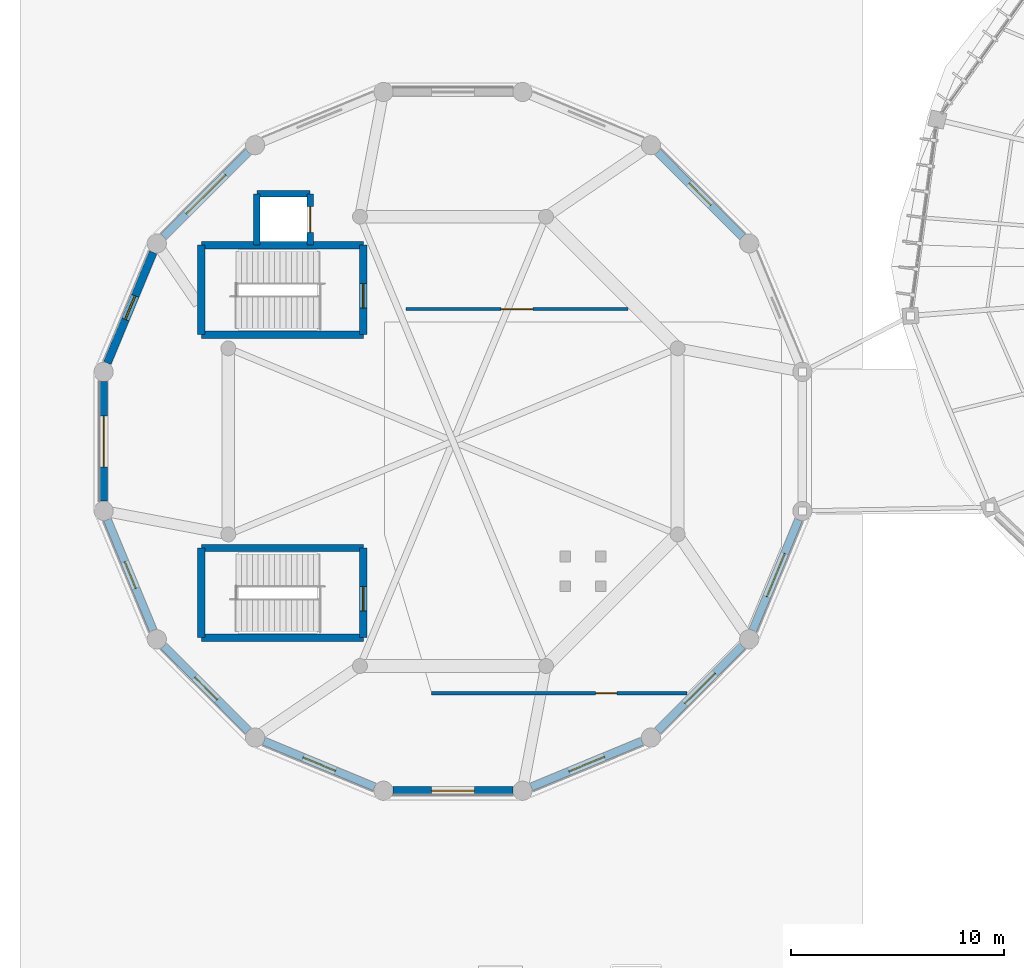
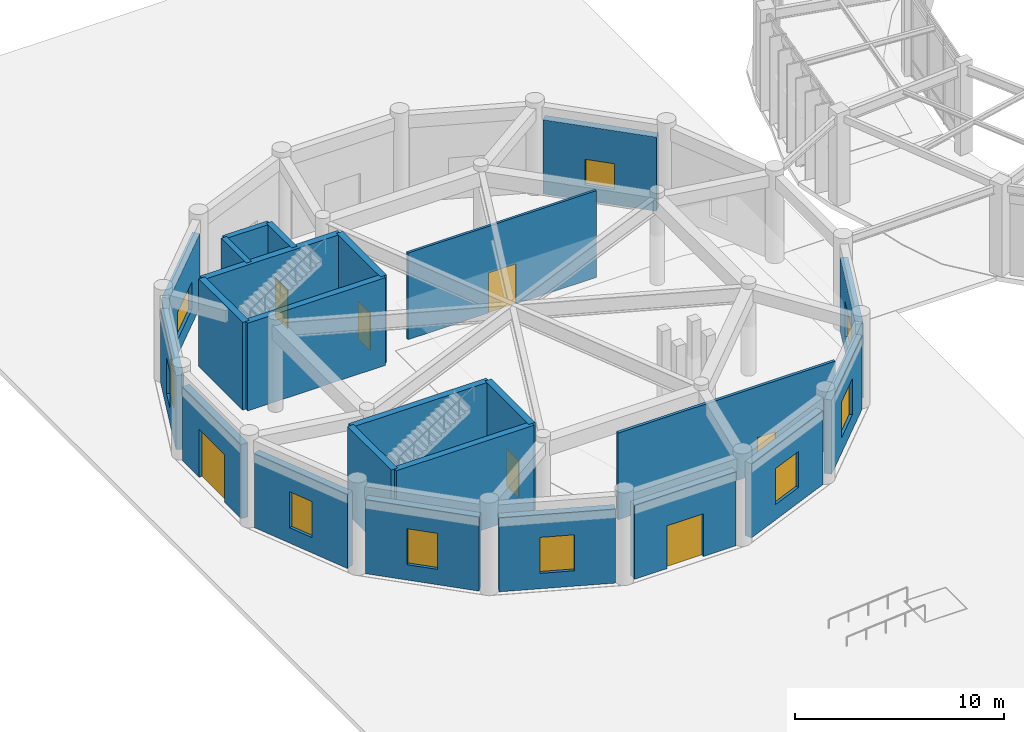
# One storey, part 128 of 157: 24 walls, 9 windows, 7 doors, 16 openings.
"""IFC4 building model written with IfcOpenShell, lengths in metres."""

import ifcopenshell
import ifcopenshell.guid

model = None  # the IFC model being written
_history = None  # IfcOwnerHistory: only IFC2X3 demands one
_inside = {}  # id of a spatial element -> (the spatial element, [elements in it])
_under = {}  # id of a project, library or spatial element -> (it, [spatial elements below it])
_declared = {}  # id of a project -> (the project, [libraries it declares])
_typed = {}  # id of a type object -> (the type object, [elements of that type])
_made_of = {}  # id of a material, layer set ... -> (it, [elements and type objects made of it])


def new_model(schema):
    """Start an empty IFC model of exactly this schema.

    Asked for "IFC4X3", IfcOpenShell would pick the latest addendum, in which some entities
    have other attributes; the version numbers below select the first issue.
    IFC2X3 requires an IfcOwnerHistory on every rooted entity: one is made here for all.
    """
    global model, _history
    if schema == "IFC4X3":
        model = ifcopenshell.file(schema_version=(4, 3, 0, 0))
    else:
        model = ifcopenshell.file(schema=schema)
    _inside.clear()
    _under.clear()
    _declared.clear()
    _typed.clear()
    _made_of.clear()
    _history = None
    if model.schema == "IFC2X3":
        org = make("IfcOrganization", Name="unknown")
        user = make(
            "IfcPersonAndOrganization",
            ThePerson=make("IfcPerson", FamilyName="unknown"),
            TheOrganization=org,
        )
        app = make(
            "IfcApplication",
            ApplicationDeveloper=org,
            Version="unknown",
            ApplicationFullName="unknown",
            ApplicationIdentifier="unknown",
        )
        _history = make(
            "IfcOwnerHistory",
            OwningUser=user,
            OwningApplication=app,
            ChangeAction="ADDED",
            CreationDate=0,
        )
    return model


def make(cls, **values):
    """One entity of the class cls with the attributes given. An attribute that is None is left unset."""
    return model.create_entity(
        cls, **{name: value for name, value in values.items() if value is not None}
    )


def rooted(cls, **values):
    """An entity with a GlobalId (a new one), such as an element, a storey or a relation."""
    return make(cls, GlobalId=ifcopenshell.guid.new(), OwnerHistory=_history, **values)


def si_unit(unit_type, name, prefix=None):
    """IfcSIUnit, for example si_unit("LENGTHUNIT", "METRE", prefix="MILLI")."""
    return make("IfcSIUnit", UnitType=unit_type, Prefix=prefix, Name=name)


def assignment(units):
    """IfcUnitAssignment: the units of a project."""
    return None if units is None else make("IfcUnitAssignment", Units=units)


def point(xyz):
    """IfcCartesianPoint."""
    return None if xyz is None else make("IfcCartesianPoint", Coordinates=xyz)


def direction(xyz):
    """IfcDirection."""
    return None if xyz is None else make("IfcDirection", DirectionRatios=xyz)


def frame(location, z_axis=None, x_axis=None):
    """IfcAxis2Placement3D, a coordinate frame: its origin and axes. An axis left out is left unset."""
    return make(
        "IfcAxis2Placement3D",
        Location=point(location),
        Axis=direction(z_axis),
        RefDirection=direction(x_axis),
    )


def frame_2d(location, x_axis=None):
    """IfcAxis2Placement2D, a coordinate frame in the plane: its origin and x axis."""
    return make(
        "IfcAxis2Placement2D", Location=point(location), RefDirection=direction(x_axis)
    )


def origin():
    """The frame at (0, 0, 0) with its axes left unset."""
    return frame((0.0, 0.0, 0.0))


def place(relative_to, where):
    """IfcLocalPlacement: puts the frame where relative to a parent placement (None: the world)."""
    return make(
        "IfcLocalPlacement", PlacementRelTo=relative_to, RelativePlacement=where
    )


def context(
    kind, dimensions, precision=None, world=None, true_north=None, identifier=None
):
    """IfcGeometricRepresentationContext, for example the 3D "Model" context."""
    return make(
        "IfcGeometricRepresentationContext",
        ContextIdentifier=identifier,
        ContextType=kind,
        CoordinateSpaceDimension=dimensions,
        Precision=precision,
        WorldCoordinateSystem=world,
        TrueNorth=true_north,
    )


def subcontext(parent, identifier, kind, view, scale=None):
    """IfcGeometricRepresentationSubContext, for example "Body" below "Model"."""
    return make(
        "IfcGeometricRepresentationSubContext",
        ContextIdentifier=identifier,
        ContextType=kind,
        ParentContext=parent,
        TargetScale=scale,
        TargetView=view,
    )


def project(units=None, contexts=None):
    """IfcProject with its units and contexts."""
    return rooted(
        "IfcProject",
        Name="project",
        RepresentationContexts=contexts,
        UnitsInContext=assignment(units),
    )


def spatial(cls, under=None, at=None, **own):
    """A site, building, storey or space (cls), placed at a placement, below another one or the project."""
    s = rooted(cls, ObjectPlacement=at, **own)
    if under is not None:
        _under.setdefault(under.id(), (under, []))[1].append(s)
    return s


def profile(cls, at=None, kind="AREA", **sizes):
    """A parametric profile (cls). Its sizes go by their IFC names, for example OverallWidth=200.0."""
    return make(cls, ProfileType=kind, Position=at, **sizes)


def rectangle(**sizes):
    """IfcRectangleProfileDef."""
    return profile("IfcRectangleProfileDef", **sizes)


def extrude(swept, where, along, depth):
    """IfcExtrudedAreaSolid: the profile swept, set in the frame where, extruded along a direction by depth."""
    return make(
        "IfcExtrudedAreaSolid",
        SweptArea=swept,
        Position=where,
        ExtrudedDirection=direction(along),
        Depth=depth,
    )


def shape(context_of_items, identifier, shape_type, items):
    """IfcShapeRepresentation: the items that make up one representation, for example the "Body"."""
    return make(
        "IfcShapeRepresentation",
        ContextOfItems=context_of_items,
        RepresentationIdentifier=identifier,
        RepresentationType=shape_type,
        Items=items,
    )


def material(Name=None, Category=None):
    """IfcMaterial."""
    return make("IfcMaterial", Name=Name, Category=Category)


def layer(
    of_material, thickness, ventilated=None, Name=None, Category=None, Priority=None
):
    """IfcMaterialLayer: one layer of a wall or slab, of a material (None: an air gap)."""
    return make(
        "IfcMaterialLayer",
        Material=of_material,
        LayerThickness=thickness,
        IsVentilated=ventilated,
        Name=Name,
        Category=Category,
        Priority=Priority,
    )


def layer_set(layers, Name=None):
    """IfcMaterialLayerSet."""
    return make("IfcMaterialLayerSet", MaterialLayers=layers, LayerSetName=Name)


def made_of(thing, what):
    """Note that an element or type object is made of a material, layer set ...; save() writes the relation."""
    if what is not None:
        _made_of.setdefault(what.id(), (what, []))[1].append(thing)
    return thing


def type_object(cls, material=None, **own):
    """A type object (cls), such as IfcWallType, which elements share."""
    return made_of(rooted(cls, **own), material)


def element(
    cls,
    number,
    at=None,
    inside=None,
    cuts=None,
    type_object=None,
    material=None,
    context=None,
    identifier="Body",
    shape_type=None,
    held_by="IfcProductDefinitionShape",
    body=None,
    shapes=None,
    **own,
):
    """One element of the class cls, such as IfcWall. Its Tag is "e" and its number.

    at: its placement. inside: the storey or other place that contains it. cuts: it is an
    opening in that element (IfcRelVoidsElement). A single representation is given by context,
    identifier, shape_type and body (its items); several are given by shapes. held_by: the class
    of the entity that holds the representations. save() writes the other relations.
    """
    e = rooted(cls, Tag="e%d" % number, ObjectPlacement=at, **own)
    if body is not None:
        shapes = [shape(context, identifier, shape_type, body)]
    if shapes is not None:
        e.Representation = make(held_by, Representations=shapes)
    if inside is not None:
        _inside.setdefault(inside.id(), (inside, []))[1].append(e)
    if cuts is not None:
        rooted(
            "IfcRelVoidsElement", RelatingBuildingElement=cuts, RelatedOpeningElement=e
        )
    if type_object is not None:
        _typed.setdefault(type_object.id(), (type_object, []))[1].append(e)
    return made_of(e, material)


def fill(opening, filler):
    """IfcRelFillsElement: the door or window that sits in an opening."""
    return rooted(
        "IfcRelFillsElement",
        RelatingOpeningElement=opening,
        RelatedBuildingElement=filler,
    )


def aggregate(whole, parts):
    """IfcRelAggregates: a whole, such as a stair, and the parts it consists of."""
    return rooted("IfcRelAggregates", RelatingObject=whole, RelatedObjects=parts)


def save(model, path):
    """Write the relations noted so far, then the file.

    IfcRelAggregates (storeys below a building ...), IfcRelContainedInSpatialStructure (elements
    in a storey), IfcRelDefinesByType, IfcRelAssociatesMaterial and IfcRelDeclares: one each for
    every whole, place, type object, material and project.
    """
    for whole, parts in _under.values():
        aggregate(whole, parts)
    for where, things in _inside.values():
        rooted(
            "IfcRelContainedInSpatialStructure",
            RelatedElements=things,
            RelatingStructure=where,
        )
    for kind, things in _typed.values():
        rooted("IfcRelDefinesByType", RelatedObjects=things, RelatingType=kind)
    for what, things in _made_of.values():
        rooted("IfcRelAssociatesMaterial", RelatedObjects=things, RelatingMaterial=what)
    for by, libraries in _declared.values():
        rooted("IfcRelDeclares", RelatingContext=by, RelatedDefinitions=libraries)
    model.write(path)


model = new_model("IFC4")

# Units and contexts
model_context = context("Model", 3, precision=1e-05, world=origin(), true_north=direction((0.0, 1.0)))
body_context = subcontext(model_context, "Body", "Model", "MODEL_VIEW")
ifc_project = project(units=[si_unit("LENGTHUNIT", "METRE"), si_unit("AREAUNIT", "SQUARE_METRE"), si_unit("VOLUMEUNIT", "CUBIC_METRE"), si_unit("PLANEANGLEUNIT", "RADIAN"), si_unit("MASSUNIT", "GRAM", prefix="KILO"), si_unit("THERMODYNAMICTEMPERATUREUNIT", "KELVIN"), si_unit("POWERUNIT", "WATT")], contexts=[model_context])

# Site, building, storey
site_placement = place(None, origin())
site = spatial("IfcSite", under=ifc_project, at=site_placement, CompositionType="ELEMENT")
building_placement = place(site_placement, origin())
building = spatial("IfcBuilding", under=site, at=building_placement, Name="Darbajah Civic Hall", CompositionType="ELEMENT")
storey_placement = place(building_placement, origin())
storey = spatial("IfcBuildingStorey", under=building, at=storey_placement, Name="L00", CompositionType="ELEMENT", Elevation=0.0)

# Walls
ifc_material_1 = material(Name="Concrete C45/55", Category="concrete")
ifc_layer_1 = layer(ifc_material_1, 0.300048828125, Name="Concrete C45/55")
ifc_layer_set_1 = layer_set([ifc_layer_1], Name="Concrete C45/55")
wall_type_1 = type_object("IfcWallType", Name="Core Shear Wall 300mm", PredefinedType="SHEAR", material=ifc_layer_set_1)
wall_1_placement = place(storey_placement, frame((10.10009765625, 93.199951171875, 0.0), z_axis=(0.0, 0.0, 1.0), x_axis=(-1.0, 0.0, 0.0)))
element("IfcWall", 1, at=wall_1_placement, inside=storey, type_object=wall_type_1, Name="L00 lift PL2 shaft wall N", PredefinedType="SHEAR", context=body_context, shape_type="SweptSolid", body=[
    extrude(rectangle(XDim=2.5, YDim=0.300048828125, at=frame_2d((1.25, 0.0))), origin(), (0.0, 0.0, 1.0), 5.1201171875),
])
wall_2_placement = place(storey_placement, frame((7.60009765625, 93.199951171875, 0.0), z_axis=(0.0, 0.0, 1.0), x_axis=(0.0, -1.0, 0.0)))
element("IfcWall", 2, at=wall_2_placement, inside=storey, type_object=wall_type_1, Name="L00 lift PL2 shaft wall W", PredefinedType="SHEAR", context=body_context, shape_type="SweptSolid", body=[
    extrude(rectangle(XDim=2.39990234375, YDim=0.300048828125, at=frame_2d((1.199951171875, 0.0))), origin(), (0.0, 0.0, 1.0), 5.1201171875),
])

# Wall, opening, door
wall_3_placement = place(storey_placement, frame((10.10009765625, 90.800048828125, 0.0), z_axis=(0.0, 0.0, 1.0), x_axis=(0.0, 1.0, 0.0)))
wall_3 = element("IfcWall", 3, at=wall_3_placement, inside=storey, type_object=wall_type_1, Name="L00 lift PL2 shaft wall E", PredefinedType="SHEAR", context=body_context, shape_type="SweptSolid", body=[
    extrude(rectangle(XDim=2.39990234375, YDim=0.300048828125, at=frame_2d((1.199951171875, 0.0))), origin(), (0.0, 0.0, 1.0), 5.1201171875),
])
opening_1_placement = place(wall_3_placement, frame((0.60009765625, 0.0, 0.0)))
opening_1 = element("IfcOpeningElement", 4, at=opening_1_placement, cuts=wall_3, Name="Opening LD-0063", PredefinedType="OPENING", context=body_context, shape_type="SweptSolid", body=[
    extrude(rectangle(XDim=1.199951171875, YDim=2.25, at=frame_2d((0.60009765625, 1.125))), frame((0.0, 0.159912109375, 0.0), z_axis=(0.0, -1.0, 0.0), x_axis=(1.0, 0.0, 0.0)), (0.0, 0.0, 1.0), 0.320068359375),
])
ifc_material_2 = material(Name="Stainless Lift Landing Door")
door_type_1 = type_object("IfcDoorType", Name="Lift Landing Door 1200x2250", OperationType="SLIDING_TO_LEFT", PredefinedType="DOOR", material=ifc_material_2)
door_1_placement = place(opening_1_placement, origin())
door_1 = element("IfcDoor", 5, at=door_1_placement, inside=storey, type_object=door_type_1, Name="L00 lift PL2 landing door LD-0063", OperationType="SLIDING_TO_LEFT", OverallHeight=2.25, OverallWidth=1.199951171875, PredefinedType="DOOR", context=body_context, shape_type="SweptSolid", body=[
    extrude(rectangle(XDim=1.199951171875, YDim=2.25, at=frame_2d((0.60009765625, 1.125))), frame((0.0, 0.02490234375, 0.0), z_axis=(0.0, -1.0, 0.0), x_axis=(1.0, 0.0, 0.0)), (0.0, 0.0, 1.0), 0.050048828125),
])
fill(opening_1, door_1)

# Wall
ifc_material_3 = material(Name="Concrete C50/60", Category="concrete")
ifc_layer_2 = layer(ifc_material_3, 0.35009765625, Name="Concrete C50/60")
ifc_layer_set_2 = layer_set([ifc_layer_2], Name="Concrete C50/60")
wall_type_2 = type_object("IfcWallType", Name="Core Shear Wall 350mm", PredefinedType="SHEAR", material=ifc_layer_set_2)
wall_4_placement = place(storey_placement, frame((5.0, 86.60009765625, 0.0), z_axis=(0.0, 0.0, 1.0), x_axis=(1.0, 0.0, 0.0)))
element("IfcWall", 6, at=wall_4_placement, inside=storey, type_object=wall_type_2, Name="L00 core C04 shear wall S", PredefinedType="SHEAR", context=body_context, shape_type="SweptSolid", body=[
    extrude(rectangle(XDim=7.60009765625, YDim=0.35009765625, at=frame_2d((3.800048828125, 0.0))), origin(), (0.0, 0.0, 1.0), 5.1201171875),
])

# Wall, opening, door
wall_5_placement = place(storey_placement, frame((12.60009765625, 86.60009765625, 0.0), z_axis=(0.0, 0.0, 1.0), x_axis=(0.0, 1.0, 0.0)))
wall_5 = element("IfcWall", 7, at=wall_5_placement, inside=storey, type_object=wall_type_2, Name="L00 core C04 shear wall E", PredefinedType="SHEAR", context=body_context, shape_type="SweptSolid", body=[
    extrude(rectangle(XDim=4.199951171875, YDim=0.35009765625, at=frame_2d((2.10009765625, 0.0))), origin(), (0.0, 0.0, 1.0), 5.1201171875),
])
opening_2_placement = place(wall_5_placement, frame((1.25, 0.0, 0.0)))
opening_2 = element("IfcOpeningElement", 8, at=opening_2_placement, cuts=wall_5, Name="Opening SD-0058", PredefinedType="OPENING", context=body_context, shape_type="SweptSolid", body=[
    extrude(rectangle(XDim=1.14990234375, YDim=2.199951171875, at=frame_2d((0.574951171875, 1.10009765625))), frame((0.0, 0.18505859375, 0.0), z_axis=(0.0, -1.0, 0.0), x_axis=(1.0, 0.0, 0.0)), (0.0, 0.0, 1.0), 0.3701171875),
])
ifc_material_4 = material(Name="Steel Rated Core Door", Category="steel")
door_type_2 = type_object("IfcDoorType", Name="Interior Door 1150x2200", OperationType="NOTDEFINED", PredefinedType="DOOR", material=ifc_material_4)
door_2_placement = place(opening_2_placement, frame((1.14990234375, 0.0, 0.0), z_axis=(0.0, 0.0, 1.0), x_axis=(-1.0, 0.0, 0.0)))
door_2 = element("IfcDoor", 9, at=door_2_placement, inside=storey, type_object=door_type_2, Name="L00 stair ST04 fire door SD-0058", OperationType="SINGLE_SWING_LEFT", OverallHeight=2.199951171875, OverallWidth=1.14990234375, PredefinedType="DOOR", context=body_context, shape_type="SweptSolid", body=[
    extrude(rectangle(XDim=1.14990234375, YDim=2.199951171875, at=frame_2d((0.574951171875, 1.10009765625))), frame((0.0, 0.02490234375, 0.0), z_axis=(0.0, -1.0, 0.0), x_axis=(1.0, 0.0, 0.0)), (0.0, 0.0, 1.0), 0.050048828125),
])
fill(opening_2, door_2)

# Walls
wall_6_placement = place(storey_placement, frame((12.60009765625, 90.800048828125, 0.0), z_axis=(0.0, 0.0, 1.0), x_axis=(-1.0, 0.0, 0.0)))
element("IfcWall", 10, at=wall_6_placement, inside=storey, type_object=wall_type_2, Name="L00 core C04 shear wall N", PredefinedType="SHEAR", context=body_context, shape_type="SweptSolid", body=[
    extrude(rectangle(XDim=7.60009765625, YDim=0.35009765625, at=frame_2d((3.800048828125, 0.0))), origin(), (0.0, 0.0, 1.0), 5.1201171875),
])
wall_7_placement = place(storey_placement, frame((5.0, 90.800048828125, 0.0), z_axis=(0.0, 0.0, 1.0), x_axis=(0.0, -1.0, 0.0)))
element("IfcWall", 11, at=wall_7_placement, inside=storey, type_object=wall_type_2, Name="L00 core C04 shear wall W", PredefinedType="SHEAR", context=body_context, shape_type="SweptSolid", body=[
    extrude(rectangle(XDim=4.199951171875, YDim=0.35009765625, at=frame_2d((2.10009765625, 0.0))), origin(), (0.0, 0.0, 1.0), 5.1201171875),
])
wall_8_placement = place(storey_placement, frame((5.0, 72.39990234375, 0.0), z_axis=(0.0, 0.0, 1.0), x_axis=(1.0, 0.0, 0.0)))
element("IfcWall", 12, at=wall_8_placement, inside=storey, type_object=wall_type_2, Name="L00 core C05 shear wall S", PredefinedType="SHEAR", context=body_context, shape_type="SweptSolid", body=[
    extrude(rectangle(XDim=7.60009765625, YDim=0.35009765625, at=frame_2d((3.800048828125, 0.0))), origin(), (0.0, 0.0, 1.0), 5.1201171875),
])

# Wall, opening, door
wall_9_placement = place(storey_placement, frame((12.60009765625, 72.39990234375, 0.0), z_axis=(0.0, 0.0, 1.0), x_axis=(0.0, 1.0, 0.0)))
wall_9 = element("IfcWall", 13, at=wall_9_placement, inside=storey, type_object=wall_type_2, Name="L00 core C05 shear wall E", PredefinedType="SHEAR", context=body_context, shape_type="SweptSolid", body=[
    extrude(rectangle(XDim=4.2001953125, YDim=0.35009765625, at=frame_2d((2.10009765625, 0.0))), origin(), (0.0, 0.0, 1.0), 5.1201171875),
])
opening_3_placement = place(wall_9_placement, frame((1.25, 0.0, 0.0)))
opening_3 = element("IfcOpeningElement", 14, at=opening_3_placement, cuts=wall_9, Name="Opening SD-0068", PredefinedType="OPENING", context=body_context, shape_type="SweptSolid", body=[
    extrude(rectangle(XDim=1.14990234375, YDim=2.199951171875, at=frame_2d((0.574951171875, 1.10009765625))), frame((0.0, 0.18505859375, 0.0), z_axis=(0.0, -1.0, 0.0), x_axis=(1.0, 0.0, 0.0)), (0.0, 0.0, 1.0), 0.3701171875),
])
door_3_placement = place(opening_3_placement, frame((1.14990234375, 0.0, 0.0), z_axis=(0.0, 0.0, 1.0), x_axis=(-1.0, 0.0, 0.0)))
door_3 = element("IfcDoor", 15, at=door_3_placement, inside=storey, type_object=door_type_2, Name="L00 stair ST05 fire door SD-0068", OperationType="SINGLE_SWING_LEFT", OverallHeight=2.199951171875, OverallWidth=1.14990234375, PredefinedType="DOOR", context=body_context, shape_type="SweptSolid", body=[
    extrude(rectangle(XDim=1.14990234375, YDim=2.199951171875, at=frame_2d((0.574951171875, 1.10009765625))), frame((0.0, 0.02490234375, 0.0), z_axis=(0.0, -1.0, 0.0), x_axis=(1.0, 0.0, 0.0)), (0.0, 0.0, 1.0), 0.050048828125),
])
fill(opening_3, door_3)

# Walls
wall_10_placement = place(storey_placement, frame((12.60009765625, 76.60009765625, 0.0), z_axis=(0.0, 0.0, 1.0), x_axis=(-1.0, 0.0, 0.0)))
element("IfcWall", 16, at=wall_10_placement, inside=storey, type_object=wall_type_2, Name="L00 core C05 shear wall N", PredefinedType="SHEAR", context=body_context, shape_type="SweptSolid", body=[
    extrude(rectangle(XDim=7.60009765625, YDim=0.35009765625, at=frame_2d((3.800048828125, 0.0))), origin(), (0.0, 0.0, 1.0), 5.1201171875),
])
wall_11_placement = place(storey_placement, frame((5.0, 76.60009765625, 0.0), z_axis=(0.0, 0.0, 1.0), x_axis=(0.0, -1.0, 0.0)))
element("IfcWall", 17, at=wall_11_placement, inside=storey, type_object=wall_type_2, Name="L00 core C05 shear wall W", PredefinedType="SHEAR", context=body_context, shape_type="SweptSolid", body=[
    extrude(rectangle(XDim=4.2001953125, YDim=0.35009765625, at=frame_2d((2.10009765625, 0.0))), origin(), (0.0, 0.0, 1.0), 5.1201171875),
])

# Wall, opening, window
ifc_material_5 = material(Name="Red Dholpur Sandstone Cladding", Category="masonry")
ifc_layer_3 = layer(ifc_material_5, 0.3798828125, Name="Red Dholpur Sandstone Cladding")
ifc_layer_set_3 = layer_set([ifc_layer_3], Name="Red Dholpur Sandstone Cladding")
wall_type_3 = type_object("IfcWallType", Name="Exterior Wall 380mm", PredefinedType="SOLIDWALL", material=ifc_layer_set_3)
wall_12_placement = place(storey_placement, frame((30.36669921875, 91.197998046875, 0.0), z_axis=(0.0, 0.0, 1.0), x_axis=(-0.707085031082, 0.707128530622, 0.0)))
wall_12 = element("IfcWall", 18, at=wall_12_placement, inside=storey, type_object=wall_type_3, Name="L00 exterior wall EW-380", PredefinedType="SOLIDWALL", context=body_context, shape_type="SweptSolid", body=[
    extrude(rectangle(XDim=5.612548828125, YDim=0.3798828125, at=frame_2d((2.80615234375, 0.0))), origin(), (0.0, 0.0, 1.0), 4.330078125),
])
opening_4_placement = place(wall_12_placement, frame((2.081298828125, 0.0, 0.89990234375)))
opening_4 = element("IfcOpeningElement", 19, at=opening_4_placement, cuts=wall_12, Name="Opening WN-25", PredefinedType="OPENING", context=body_context, shape_type="SweptSolid", body=[
    extrude(rectangle(XDim=1.449951171875, YDim=1.5, at=frame_2d((0.72509765625, 0.75))), frame((0.0, 0.199951171875, 0.0), z_axis=(0.0, -1.0, 0.0), x_axis=(1.0, 0.0, 0.0)), (0.0, 0.0, 1.0), 0.39990234375),
])
ifc_material_6 = material(Name="Low-E Solar Control Double Glazing", Category="glass")
window_type_1 = type_object("IfcWindowType", Name="Facade Window 1450x1500", PartitioningType="SINGLE_PANEL", PredefinedType="WINDOW", material=ifc_material_6)
window_1_placement = place(opening_4_placement, origin())
window_1 = element("IfcWindow", 20, at=window_1_placement, inside=storey, type_object=window_type_1, Name="L00 facade window WN-25", OverallHeight=1.5, OverallWidth=1.449951171875, PartitioningType="SINGLE_PANEL", PredefinedType="WINDOW", context=body_context, shape_type="SweptSolid", body=[
    extrude(rectangle(XDim=1.449951171875, YDim=1.5, at=frame_2d((0.72509765625, 0.75))), frame((0.0, 0.030029296875, 0.0), z_axis=(0.0, -1.0, 0.0), x_axis=(1.0, 0.0, 0.0)), (0.0, 0.0, 1.0), 0.06005859375),
])
fill(opening_4, window_1)

wall_13_placement = place(storey_placement, frame((7.201904296875, 95.166748046875, 0.0), z_axis=(0.0, 0.0, 1.0), x_axis=(-0.707085031082, -0.707128530622, 0.0)))
wall_13 = element("IfcWall", 21, at=wall_13_placement, inside=storey, type_object=wall_type_3, Name="L00 exterior wall EW-380", PredefinedType="SOLIDWALL", context=body_context, shape_type="SweptSolid", body=[
    extrude(rectangle(XDim=5.612548828125, YDim=0.3798828125, at=frame_2d((2.80615234375, 0.0))), origin(), (0.0, 0.0, 1.0), 4.330078125),
])
opening_5_placement = place(wall_13_placement, frame((1.506103515625, 0.0, 0.89990234375)))
opening_5 = element("IfcOpeningElement", 22, at=opening_5_placement, cuts=wall_13, Name="Opening WN-28", PredefinedType="OPENING", context=body_context, shape_type="SweptSolid", body=[
    extrude(rectangle(XDim=2.60009765625, YDim=1.60009765625, at=frame_2d((1.300048828125, 0.800048828125))), frame((0.0, 0.199951171875, 0.0), z_axis=(0.0, -1.0, 0.0), x_axis=(1.0, 0.0, 0.0)), (0.0, 0.0, 1.0), 0.39990234375),
])
window_type_2 = type_object("IfcWindowType", Name="Facade Window 2600x1600", PartitioningType="DOUBLE_PANEL_VERTICAL", PredefinedType="WINDOW", material=ifc_material_6)
window_2_placement = place(opening_5_placement, origin())
window_2 = element("IfcWindow", 23, at=window_2_placement, inside=storey, type_object=window_type_2, Name="L00 facade window WN-28", OverallHeight=1.60009765625, OverallWidth=2.60009765625, PartitioningType="SINGLE_PANEL", PredefinedType="WINDOW", context=body_context, shape_type="SweptSolid", body=[
    extrude(rectangle(XDim=2.60009765625, YDim=1.60009765625, at=frame_2d((1.300048828125, 0.800048828125))), frame((0.0, 0.030029296875, 0.0), z_axis=(0.0, -1.0, 0.0), x_axis=(1.0, 0.0, 0.0)), (0.0, 0.0, 1.0), 0.06005859375),
])
fill(opening_5, window_2)

wall_14_placement = place(storey_placement, frame((2.74072265625, 90.4609375, 0.0), z_axis=(0.0, 0.0, 1.0), x_axis=(-0.382680920931, -0.923880572778, 0.0)))
wall_14 = element("IfcWall", 24, at=wall_14_placement, inside=storey, type_object=wall_type_3, Name="L00 exterior wall EW-380", PredefinedType="SOLIDWALL", context=body_context, shape_type="SweptSolid", body=[
    extrude(rectangle(XDim=5.6123046875, YDim=0.3798828125, at=frame_2d((2.80615234375, 0.0))), origin(), (0.0, 0.0, 1.0), 4.330078125),
])
opening_6_placement = place(wall_14_placement, frame((2.2060546875, 0.0, 0.89990234375)))
opening_6 = element("IfcOpeningElement", 25, at=opening_6_placement, cuts=wall_14, Name="Opening WN-01", PredefinedType="OPENING", context=body_context, shape_type="SweptSolid", body=[
    extrude(rectangle(XDim=1.199951171875, YDim=2.10009765625, at=frame_2d((0.60009765625, 1.050048828125))), frame((0.0, 0.199951171875, 0.0), z_axis=(0.0, -1.0, 0.0), x_axis=(1.0, 0.0, 0.0)), (0.0, 0.0, 1.0), 0.39990234375),
])
window_type_3 = type_object("IfcWindowType", Name="Facade Window 1200x2100", PartitioningType="SINGLE_PANEL", PredefinedType="WINDOW", material=ifc_material_6)
window_3_placement = place(opening_6_placement, origin())
window_3 = element("IfcWindow", 26, at=window_3_placement, inside=storey, type_object=window_type_3, Name="L00 facade window WN-01", OverallHeight=2.10009765625, OverallWidth=1.199951171875, PartitioningType="SINGLE_PANEL", PredefinedType="WINDOW", context=body_context, shape_type="SweptSolid", body=[
    extrude(rectangle(XDim=1.199951171875, YDim=2.10009765625, at=frame_2d((0.60009765625, 1.050048828125))), frame((0.0, 0.030029296875, 0.0), z_axis=(0.0, -1.0, 0.0), x_axis=(1.0, 0.0, 0.0)), (0.0, 0.0, 1.0), 0.06005859375),
])
fill(opening_6, window_3)

# Wall, opening, door
wall_15_placement = place(storey_placement, frame((0.419921875, 84.40625, 0.0), z_axis=(0.0, 0.0, 1.0), x_axis=(0.0, -1.0, 0.0)))
wall_15 = element("IfcWall", 27, at=wall_15_placement, inside=storey, type_object=wall_type_3, Name="L00 exterior wall EW-380", PredefinedType="SOLIDWALL", context=body_context, shape_type="SweptSolid", body=[
    extrude(rectangle(XDim=5.612548828125, YDim=0.3798828125, at=frame_2d((2.80615234375, 0.0))), origin(), (0.0, 0.0, 1.0), 4.330078125),
])
opening_7_placement = place(wall_15_placement, frame((1.606201171875, 0.0, 0.0)))
opening_7 = element("IfcOpeningElement", 28, at=opening_7_placement, cuts=wall_15, Name="Opening E-005", PredefinedType="OPENING", context=body_context, shape_type="SweptSolid", body=[
    extrude(rectangle(XDim=2.39990234375, YDim=2.800048828125, at=frame_2d((1.199951171875, 1.39990234375))), frame((0.0, 0.199951171875, 0.0), z_axis=(0.0, -1.0, 0.0), x_axis=(1.0, 0.0, 0.0)), (0.0, 0.0, 1.0), 0.39990234375),
])
ifc_material_7 = material(Name="Anodised Bronze Aluminium and Laminated Glass", Category="aluminium")
door_type_3 = type_object("IfcDoorType", Name="Exterior Door 2400x2800", OperationType="NOTDEFINED", PredefinedType="DOOR", material=ifc_material_7)
door_4_placement = place(opening_7_placement, frame((2.39990234375, 0.0, 0.0), z_axis=(0.0, 0.0, 1.0), x_axis=(-1.0, 0.0, 0.0)))
door_4 = element("IfcDoor", 29, at=door_4_placement, inside=storey, type_object=door_type_3, Name="Council Foyer Ceremonial Entrance E-005", OperationType="DOUBLE_DOOR_SINGLE_SWING", OverallHeight=2.800048828125, OverallWidth=2.39990234375, PredefinedType="DOOR", context=body_context, shape_type="SweptSolid", body=[
    extrude(rectangle(XDim=2.39990234375, YDim=2.800048828125, at=frame_2d((1.199951171875, 1.39990234375))), frame((0.0, 0.02490234375, 0.0), z_axis=(0.0, -1.0, 0.0), x_axis=(1.0, 0.0, 0.0)), (0.0, 0.0, 1.0), 0.050048828125),
])
fill(opening_7, door_4)

# Wall, opening, window
wall_16_placement = place(storey_placement, frame((0.593017578125, 77.92431640625, 0.0), z_axis=(0.0, 0.0, 1.0), x_axis=(0.382665541548, -0.923886942928, 0.0)))
wall_16 = element("IfcWall", 30, at=wall_16_placement, inside=storey, type_object=wall_type_3, Name="L00 exterior wall EW-380", PredefinedType="SOLIDWALL", context=body_context, shape_type="SweptSolid", body=[
    extrude(rectangle(XDim=5.612548828125, YDim=0.3798828125, at=frame_2d((2.80615234375, 0.0))), origin(), (0.0, 0.0, 1.0), 4.330078125),
])
opening_8_placement = place(wall_16_placement, frame((2.131103515625, 0.0, 0.89990234375)))
opening_8 = element("IfcOpeningElement", 31, at=opening_8_placement, cuts=wall_16, Name="Opening WN-02", PredefinedType="OPENING", context=body_context, shape_type="SweptSolid", body=[
    extrude(rectangle(XDim=1.35009765625, YDim=2.10009765625, at=frame_2d((0.675048828125, 1.050048828125))), frame((0.0, 0.199951171875, 0.0), z_axis=(0.0, -1.0, 0.0), x_axis=(1.0, 0.0, 0.0)), (0.0, 0.0, 1.0), 0.39990234375),
])
window_type_4 = type_object("IfcWindowType", Name="Facade Window 1350x2100", PartitioningType="SINGLE_PANEL", PredefinedType="WINDOW", material=ifc_material_6)
window_4_placement = place(opening_8_placement, origin())
window_4 = element("IfcWindow", 32, at=window_4_placement, inside=storey, type_object=window_type_4, Name="L00 facade window WN-02", OverallHeight=2.10009765625, OverallWidth=1.35009765625, PartitioningType="SINGLE_PANEL", PredefinedType="WINDOW", context=body_context, shape_type="SweptSolid", body=[
    extrude(rectangle(XDim=1.35009765625, YDim=2.10009765625, at=frame_2d((0.675048828125, 1.050048828125))), frame((0.0, 0.030029296875, 0.0), z_axis=(0.0, -1.0, 0.0), x_axis=(1.0, 0.0, 0.0)), (0.0, 0.0, 1.0), 0.06005859375),
])
fill(opening_8, window_4)

wall_17_placement = place(storey_placement, frame((3.2333984375, 72.001953125, 0.0), z_axis=(0.0, 0.0, 1.0), x_axis=(0.707085031082, -0.707128530622, 0.0)))
wall_17 = element("IfcWall", 33, at=wall_17_placement, inside=storey, type_object=wall_type_3, Name="L00 exterior wall EW-380", PredefinedType="SOLIDWALL", context=body_context, shape_type="SweptSolid", body=[
    extrude(rectangle(XDim=5.612548828125, YDim=0.3798828125, at=frame_2d((2.80615234375, 0.0))), origin(), (0.0, 0.0, 1.0), 4.330078125),
])
opening_9_placement = place(wall_17_placement, frame((2.05615234375, 0.0, 0.89990234375)))
opening_9 = element("IfcOpeningElement", 34, at=opening_9_placement, cuts=wall_17, Name="Opening WN-03", PredefinedType="OPENING", context=body_context, shape_type="SweptSolid", body=[
    extrude(rectangle(XDim=1.5, YDim=2.10009765625, at=frame_2d((0.75, 1.050048828125))), frame((0.0, 0.199951171875, 0.0), z_axis=(0.0, -1.0, 0.0), x_axis=(1.0, 0.0, 0.0)), (0.0, 0.0, 1.0), 0.39990234375),
])
window_type_5 = type_object("IfcWindowType", Name="Facade Window 1500x2100", PartitioningType="SINGLE_PANEL", PredefinedType="WINDOW", material=ifc_material_6)
window_5_placement = place(opening_9_placement, origin())
window_5 = element("IfcWindow", 35, at=window_5_placement, inside=storey, type_object=window_type_5, Name="L00 facade window WN-03", OverallHeight=2.10009765625, OverallWidth=1.5, PartitioningType="SINGLE_PANEL", PredefinedType="WINDOW", context=body_context, shape_type="SweptSolid", body=[
    extrude(rectangle(XDim=1.5, YDim=2.10009765625, at=frame_2d((0.75, 1.050048828125))), frame((0.0, 0.030029296875, 0.0), z_axis=(0.0, -1.0, 0.0), x_axis=(1.0, 0.0, 0.0)), (0.0, 0.0, 1.0), 0.06005859375),
])
fill(opening_9, window_5)

wall_18_placement = place(storey_placement, frame((7.939208984375, 67.540771484375, 0.0), z_axis=(0.0, 0.0, 1.0), x_axis=(0.923880572778, -0.382680920931, 0.0)))
wall_18 = element("IfcWall", 36, at=wall_18_placement, inside=storey, type_object=wall_type_3, Name="L00 exterior wall EW-380", PredefinedType="SOLIDWALL", context=body_context, shape_type="SweptSolid", body=[
    extrude(rectangle(XDim=5.6123046875, YDim=0.3798828125, at=frame_2d((2.80615234375, 0.0))), origin(), (0.0, 0.0, 1.0), 4.330078125),
])
opening_10_placement = place(wall_18_placement, frame((1.981201171875, 0.0, 0.89990234375)))
opening_10 = element("IfcOpeningElement", 37, at=opening_10_placement, cuts=wall_18, Name="Opening WN-04", PredefinedType="OPENING", context=body_context, shape_type="SweptSolid", body=[
    extrude(rectangle(XDim=1.64990234375, YDim=2.10009765625, at=frame_2d((0.824951171875, 1.050048828125))), frame((0.0, 0.199951171875, 0.0), z_axis=(0.0, -1.0, 0.0), x_axis=(1.0, 0.0, 0.0)), (0.0, 0.0, 1.0), 0.39990234375),
])
window_type_6 = type_object("IfcWindowType", Name="Facade Window 1650x2100", PartitioningType="DOUBLE_PANEL_VERTICAL", PredefinedType="WINDOW", material=ifc_material_6)
window_6_placement = place(opening_10_placement, origin())
window_6 = element("IfcWindow", 38, at=window_6_placement, inside=storey, type_object=window_type_6, Name="L00 facade window WN-04", OverallHeight=2.10009765625, OverallWidth=1.64990234375, PartitioningType="SINGLE_PANEL", PredefinedType="WINDOW", context=body_context, shape_type="SweptSolid", body=[
    extrude(rectangle(XDim=1.64990234375, YDim=2.10009765625, at=frame_2d((0.824951171875, 1.050048828125))), frame((0.0, 0.030029296875, 0.0), z_axis=(0.0, -1.0, 0.0), x_axis=(1.0, 0.0, 0.0)), (0.0, 0.0, 1.0), 0.06005859375),
])
fill(opening_10, window_6)

# Wall, opening, door
wall_19_placement = place(storey_placement, frame((13.993896484375, 65.219970703125, 0.0), z_axis=(0.0, 0.0, 1.0), x_axis=(1.0, 0.0, 0.0)))
wall_19 = element("IfcWall", 39, at=wall_19_placement, inside=storey, type_object=wall_type_3, Name="L00 exterior wall EW-380", PredefinedType="SOLIDWALL", context=body_context, shape_type="SweptSolid", body=[
    extrude(rectangle(XDim=5.6123046875, YDim=0.3798828125, at=frame_2d((2.80615234375, 0.0))), origin(), (0.0, 0.0, 1.0), 4.330078125),
])
opening_11_placement = place(wall_19_placement, frame((1.80615234375, 0.0, 0.0)))
opening_11 = element("IfcOpeningElement", 40, at=opening_11_placement, cuts=wall_19, Name="Opening E-006", PredefinedType="OPENING", context=body_context, shape_type="SweptSolid", body=[
    extrude(rectangle(XDim=2.0, YDim=2.5, at=frame_2d((1.0, 1.25))), frame((0.0, 0.199951171875, 0.0), z_axis=(0.0, -1.0, 0.0), x_axis=(1.0, 0.0, 0.0)), (0.0, 0.0, 1.0), 0.39990234375),
])
door_type_4 = type_object("IfcDoorType", Name="Exterior Door 2000x2500", OperationType="NOTDEFINED", PredefinedType="DOOR", material=ifc_material_7)
door_5_placement = place(opening_11_placement, frame((2.0, 0.0, 0.0), z_axis=(0.0, 0.0, 1.0), x_axis=(-1.0, 0.0, 0.0)))
door_5 = element("IfcDoor", 41, at=door_5_placement, inside=storey, type_object=door_type_4, Name="Pedestrian Final Exit E-006", OperationType="DOUBLE_DOOR_SINGLE_SWING", OverallHeight=2.5, OverallWidth=2.0, PredefinedType="DOOR", context=body_context, shape_type="SweptSolid", body=[
    extrude(rectangle(XDim=2.0, YDim=2.5, at=frame_2d((1.0, 1.25))), frame((0.0, 0.02490234375, 0.0), z_axis=(0.0, -1.0, 0.0), x_axis=(1.0, 0.0, 0.0)), (0.0, 0.0, 1.0), 0.050048828125),
])
fill(opening_11, door_5)

# Wall, opening, window
wall_20_placement = place(storey_placement, frame((20.475830078125, 65.39306640625, 0.0), z_axis=(0.0, 0.0, 1.0), x_axis=(0.923880572778, 0.382680920931, 0.0)))
wall_20 = element("IfcWall", 42, at=wall_20_placement, inside=storey, type_object=wall_type_3, Name="L00 exterior wall EW-380", PredefinedType="SOLIDWALL", context=body_context, shape_type="SweptSolid", body=[
    extrude(rectangle(XDim=5.6123046875, YDim=0.3798828125, at=frame_2d((2.80615234375, 0.0))), origin(), (0.0, 0.0, 1.0), 4.330078125),
])
opening_12_placement = place(wall_20_placement, frame((1.906005859375, 0.0, 0.89990234375)))
opening_12 = element("IfcOpeningElement", 43, at=opening_12_placement, cuts=wall_20, Name="Opening WN-05", PredefinedType="OPENING", context=body_context, shape_type="SweptSolid", body=[
    extrude(rectangle(XDim=1.800048828125, YDim=2.10009765625, at=frame_2d((0.89990234375, 1.050048828125))), frame((0.0, 0.199951171875, 0.0), z_axis=(0.0, -1.0, 0.0), x_axis=(1.0, 0.0, 0.0)), (0.0, 0.0, 1.0), 0.39990234375),
])
window_type_7 = type_object("IfcWindowType", Name="Facade Window 1800x2100", PartitioningType="DOUBLE_PANEL_VERTICAL", PredefinedType="WINDOW", material=ifc_material_6)
window_7_placement = place(opening_12_placement, origin())
window_7 = element("IfcWindow", 44, at=window_7_placement, inside=storey, type_object=window_type_7, Name="L00 facade window WN-05", OverallHeight=2.10009765625, OverallWidth=1.800048828125, PartitioningType="SINGLE_PANEL", PredefinedType="WINDOW", context=body_context, shape_type="SweptSolid", body=[
    extrude(rectangle(XDim=1.800048828125, YDim=2.10009765625, at=frame_2d((0.89990234375, 1.050048828125))), frame((0.0, 0.030029296875, 0.0), z_axis=(0.0, -1.0, 0.0), x_axis=(1.0, 0.0, 0.0)), (0.0, 0.0, 1.0), 0.06005859375),
])
fill(opening_12, window_7)

wall_21_placement = place(storey_placement, frame((26.398193359375, 68.033203125, 0.0), z_axis=(0.0, 0.0, 1.0), x_axis=(0.707085031082, 0.707128530622, 0.0)))
wall_21 = element("IfcWall", 45, at=wall_21_placement, inside=storey, type_object=wall_type_3, Name="L00 exterior wall EW-380", PredefinedType="SOLIDWALL", context=body_context, shape_type="SweptSolid", body=[
    extrude(rectangle(XDim=5.612548828125, YDim=0.3798828125, at=frame_2d((2.80615234375, 0.0))), origin(), (0.0, 0.0, 1.0), 4.330078125),
])
opening_13_placement = place(wall_21_placement, frame((1.80615234375, 0.0, 0.89990234375)))
opening_13 = element("IfcOpeningElement", 46, at=opening_13_placement, cuts=wall_21, Name="Opening WN-06", PredefinedType="OPENING", context=body_context, shape_type="SweptSolid", body=[
    extrude(rectangle(XDim=2.0, YDim=2.10009765625, at=frame_2d((1.0, 1.050048828125))), frame((0.0, 0.199951171875, 0.0), z_axis=(0.0, -1.0, 0.0), x_axis=(1.0, 0.0, 0.0)), (0.0, 0.0, 1.0), 0.39990234375),
])
window_type_8 = type_object("IfcWindowType", Name="Facade Window 2000x2100", PartitioningType="DOUBLE_PANEL_VERTICAL", PredefinedType="WINDOW", material=ifc_material_6)
window_8_placement = place(opening_13_placement, origin())
window_8 = element("IfcWindow", 47, at=window_8_placement, inside=storey, type_object=window_type_8, Name="L00 facade window WN-06", OverallHeight=2.10009765625, OverallWidth=2.0, PartitioningType="SINGLE_PANEL", PredefinedType="WINDOW", context=body_context, shape_type="SweptSolid", body=[
    extrude(rectangle(XDim=2.0, YDim=2.10009765625, at=frame_2d((1.0, 1.050048828125))), frame((0.0, 0.030029296875, 0.0), z_axis=(0.0, -1.0, 0.0), x_axis=(1.0, 0.0, 0.0)), (0.0, 0.0, 1.0), 0.06005859375),
])
fill(opening_13, window_8)

wall_22_placement = place(storey_placement, frame((30.859375, 72.739013671875, 0.0), z_axis=(0.0, 0.0, 1.0), x_axis=(0.382665541548, 0.923886942928, 0.0)))
wall_22 = element("IfcWall", 48, at=wall_22_placement, inside=storey, type_object=wall_type_3, Name="L00 exterior wall EW-380", PredefinedType="SOLIDWALL", context=body_context, shape_type="SweptSolid", body=[
    extrude(rectangle(XDim=5.612548828125, YDim=0.3798828125, at=frame_2d((2.80615234375, 0.0))), origin(), (0.0, 0.0, 1.0), 4.330078125),
])
opening_14_placement = place(wall_22_placement, frame((1.7060546875, 0.0, 0.89990234375)))
opening_14 = element("IfcOpeningElement", 49, at=opening_14_placement, cuts=wall_22, Name="Opening WN-07", PredefinedType="OPENING", context=body_context, shape_type="SweptSolid", body=[
    extrude(rectangle(XDim=2.199951171875, YDim=2.10009765625, at=frame_2d((1.10009765625, 1.050048828125))), frame((0.0, 0.199951171875, 0.0), z_axis=(0.0, -1.0, 0.0), x_axis=(1.0, 0.0, 0.0)), (0.0, 0.0, 1.0), 0.39990234375),
])
window_type_9 = type_object("IfcWindowType", Name="Facade Window 2200x2100", PartitioningType="DOUBLE_PANEL_VERTICAL", PredefinedType="WINDOW", material=ifc_material_6)
window_9_placement = place(opening_14_placement, origin())
window_9 = element("IfcWindow", 50, at=window_9_placement, inside=storey, type_object=window_type_9, Name="L00 facade window WN-07", OverallHeight=2.10009765625, OverallWidth=2.199951171875, PartitioningType="SINGLE_PANEL", PredefinedType="WINDOW", context=body_context, shape_type="SweptSolid", body=[
    extrude(rectangle(XDim=2.199951171875, YDim=2.10009765625, at=frame_2d((1.10009765625, 1.050048828125))), frame((0.0, 0.030029296875, 0.0), z_axis=(0.0, -1.0, 0.0), x_axis=(1.0, 0.0, 0.0)), (0.0, 0.0, 1.0), 0.06005859375),
])
fill(opening_14, window_9)

# Wall, opening, door
ifc_material_8 = material(Name="Gypsum Plasterboard on Steel Stud", Category="steel")
ifc_layer_4 = layer(ifc_material_8, 0.135009765625, Name="Gypsum Plasterboard on Steel Stud")
ifc_layer_set_4 = layer_set([ifc_layer_4], Name="Gypsum Plasterboard on Steel Stud")
wall_type_4 = type_object("IfcWallType", Name="Interior Partition 135mm", PredefinedType="PARTITIONING", material=ifc_layer_set_4)
wall_23_placement = place(storey_placement, frame((14.60009765625, 87.800048828125, 0.0), z_axis=(0.0, 0.0, 1.0), x_axis=(1.0, 0.0, 0.0)))
wall_23 = element("IfcWall", 51, at=wall_23_placement, inside=storey, type_object=wall_type_4, Name="L00 interior partition L00-V2-02", PredefinedType="PARTITIONING", context=body_context, shape_type="SweptSolid", body=[
    extrude(rectangle(XDim=10.39990234375, YDim=0.135009765625, at=frame_2d((5.199951171875, 0.0))), origin(), (0.0, 0.0, 1.0), 5.06005859375),
])
opening_15_placement = place(wall_23_placement, frame((4.449951171875, 0.0, 0.0)))
opening_15 = element("IfcOpeningElement", 52, at=opening_15_placement, cuts=wall_23, Name="Opening D-0162", PredefinedType="OPENING", context=body_context, shape_type="SweptSolid", body=[
    extrude(rectangle(XDim=1.5, YDim=2.35009765625, at=frame_2d((0.75, 1.175048828125))), frame((0.0, 0.077392578125, 0.0), z_axis=(0.0, -1.0, 0.0), x_axis=(1.0, 0.0, 0.0)), (0.0, 0.0, 1.0), 0.155029296875),
])
ifc_material_9 = material(Name="Committee Chamber Double Door")
door_type_5 = type_object("IfcDoorType", Name="Interior Door 1500x2350", OperationType="NOTDEFINED", PredefinedType="DOOR", material=ifc_material_9)
door_6_placement = place(opening_15_placement, origin())
door_6 = element("IfcDoor", 53, at=door_6_placement, inside=storey, type_object=door_type_5, Name="L00 L00-V2-02 door D-0162", OperationType="DOUBLE_DOOR_SINGLE_SWING", OverallHeight=2.35009765625, OverallWidth=1.5, PredefinedType="DOOR", context=body_context, shape_type="SweptSolid", body=[
    extrude(rectangle(XDim=1.5, YDim=2.35009765625, at=frame_2d((0.75, 1.175048828125))), frame((0.0, 0.02490234375, 0.0), z_axis=(0.0, -1.0, 0.0), x_axis=(1.0, 0.0, 0.0)), (0.0, 0.0, 1.0), 0.050048828125),
])
fill(opening_15, door_6)

ifc_layer_5 = layer(ifc_material_8, 0.159912109375, Name="Gypsum Plasterboard on Steel Stud")
ifc_layer_set_5 = layer_set([ifc_layer_5], Name="Gypsum Plasterboard on Steel Stud")
wall_type_5 = type_object("IfcWallType", Name="Interior Partition 160mm", PredefinedType="PARTITIONING", material=ifc_layer_set_5)
wall_24_placement = place(storey_placement, frame((27.782958984375, 69.800048828125, 0.0), z_axis=(0.0, 0.0, 1.0), x_axis=(-1.0, 0.0, 0.0)))
wall_24 = element("IfcWall", 54, at=wall_24_placement, inside=storey, type_object=wall_type_5, Name="L00 interior partition L00-V2-01", PredefinedType="PARTITIONING", context=body_context, shape_type="SweptSolid", body=[
    extrude(rectangle(XDim=11.98291015625, YDim=0.159912109375, at=frame_2d((5.991455078125, 0.0))), origin(), (0.0, 0.0, 1.0), 5.06005859375),
])
opening_16_placement = place(wall_24_placement, frame((3.294921875, 0.0, 0.0)))
opening_16 = element("IfcOpeningElement", 55, at=opening_16_placement, cuts=wall_24, Name="Opening D-0161", PredefinedType="OPENING", context=body_context, shape_type="SweptSolid", body=[
    extrude(rectangle(XDim=1.0, YDim=2.10009765625, at=frame_2d((0.5, 1.050048828125))), frame((0.0, 0.08984375, 0.0), z_axis=(0.0, -1.0, 0.0), x_axis=(1.0, 0.0, 0.0)), (0.0, 0.0, 1.0), 0.179931640625),
])
ifc_material_10 = material(Name="Oak Suite Door")
door_type_6 = type_object("IfcDoorType", Name="Interior Door 1000x2100", OperationType="NOTDEFINED", PredefinedType="DOOR", material=ifc_material_10)
door_7_placement = place(opening_16_placement, origin())
door_7 = element("IfcDoor", 56, at=door_7_placement, inside=storey, type_object=door_type_6, Name="L00 L00-V2-01 door D-0161", OperationType="SINGLE_SWING_RIGHT", OverallHeight=2.10009765625, OverallWidth=1.0, PredefinedType="DOOR", context=body_context, shape_type="SweptSolid", body=[
    extrude(rectangle(XDim=1.0, YDim=2.10009765625, at=frame_2d((0.5, 1.050048828125))), frame((0.0, 0.02490234375, 0.0), z_axis=(0.0, -1.0, 0.0), x_axis=(1.0, 0.0, 0.0)), (0.0, 0.0, 1.0), 0.050048828125),
])
fill(opening_16, door_7)

save(model, "model.ifc")
